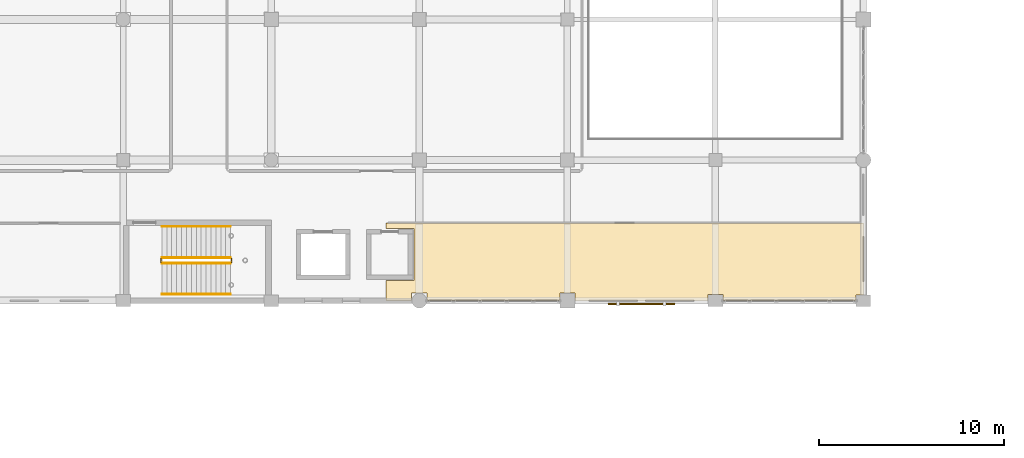
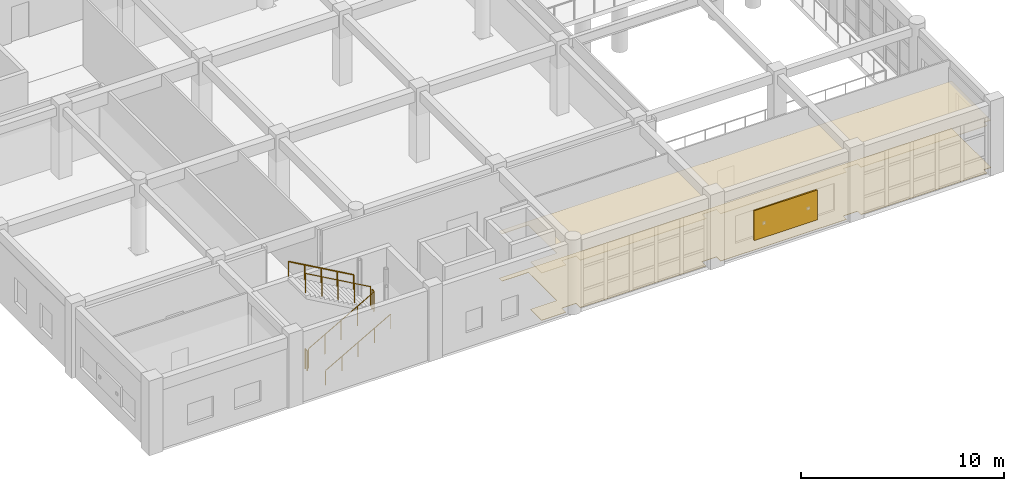
# One storey, part 162 of 166: 6 railings, 2 coverings, 1 shading device.
"""IFC4 building model written with IfcOpenShell, lengths in metres."""

from ifc_helpers import new_model, si_unit, direction, frame, origin, origin_2d, place, context, subcontext, project, spatial, polyline, rectangle, circle, outline, extrude, material, layer, layer_set, type_object, element, save


model = new_model("IFC4")

# Units and contexts
model_context = context("Model", 3, precision=1e-05, world=origin(), true_north=direction((0.0, 1.0)))
body_context = subcontext(model_context, "Body", "Model", "MODEL_VIEW")
ifc_project = project(units=[si_unit("LENGTHUNIT", "METRE"), si_unit("AREAUNIT", "SQUARE_METRE"), si_unit("VOLUMEUNIT", "CUBIC_METRE"), si_unit("PLANEANGLEUNIT", "RADIAN"), si_unit("MASSUNIT", "GRAM", prefix="KILO")], contexts=[model_context])

# Site, building, storey
site_placement = place(None, origin())
site = spatial("IfcSite", under=ifc_project, at=site_placement, CompositionType="ELEMENT")
building_placement = place(site_placement, origin())
building = spatial("IfcBuilding", under=site, at=building_placement, Name="Kharva Crest Polytechnic", CompositionType="ELEMENT")
storey_placement = place(building_placement, origin())
storey = spatial("IfcBuildingStorey", under=building, at=storey_placement, Name="L00", CompositionType="ELEMENT", Elevation=0.0)

# Coverings
ifc_material_1 = material(Name="Acoustic mineral board")
ifc_layer_1 = layer(ifc_material_1, 0.02490234375, Name="Acoustic mineral board")
ifc_layer_set_1 = layer_set([ifc_layer_1], Name="Acoustic mineral board")
covering_type_1 = type_object("IfcCoveringType", Name="COV-CLG-ACOUSTIC", PredefinedType="CEILING", material=ifc_layer_set_1)
covering_1_placement = place(storey_placement, frame((0.0, 0.0, 2.85009765625)))
element("IfcCovering", 1, at=covering_1_placement, inside=storey, type_object=covering_type_1, Name="L00 Refectory Terrace Dining Acoustic Ceiling", PredefinedType="CEILING", context=body_context, shape_type="SweptSolid", body=[
    extrude(outline(polyline([(161.2099609375, 0.3349609375), (160.389892578125, 0.3349609375), (160.389892578125, 0.0), (153.2099609375, 0.0), (153.2099609375, 0.409912109375), (152.389892578125, 0.409912109375), (152.389892578125, 0.0), (145.2099609375, 0.0), (145.2099609375, 0.409912109375), (144.389892578125, 0.409912109375), (144.389892578125, 0.0), (143.0, 0.0), (143.0, 1.10009765625), (144.5, 1.10009765625), (144.5, 3.89990234375), (143.0, 3.89990234375), (143.0, 4.18994140625), (165.0, 4.18994140625), (165.0009765625, 4.18994140625), (165.001953125, 4.190185546875), (165.0029296875, 4.1904296875), (165.00390625, 4.19091796875), (165.004638671875, 4.191162109375), (165.005615234375, 4.191650390625), (165.00634765625, 4.1923828125), (165.007080078125, 4.19287109375), (165.0078125, 4.193603515625), (165.00830078125, 4.1943359375), (165.0087890625, 4.1953125), (165.00927734375, 4.1962890625), (165.009521484375, 4.197021484375), (165.009765625, 4.197998046875), (165.010009765625, 4.198974609375), (165.010009765625, 4.199951171875), (168.800048828125, 4.199951171875), (168.800048828125, 0.31005859375), (168.39990234375, 0.31005859375), (168.39990234375, 0.0), (161.2099609375, 0.0), (161.2099609375, 0.3349609375)])), origin(), (0.0, 0.0, 1.0), 0.02490234375),
])
ifc_material_2 = material(Name="Terrazzo tile")
ifc_layer_2 = layer(ifc_material_2, 0.02001953125, Name="Terrazzo tile")
ifc_layer_set_2 = layer_set([ifc_layer_2], Name="Terrazzo tile")
covering_type_2 = type_object("IfcCoveringType", Name="COV-FLR-TERRAZZO", PredefinedType="FLOORING", material=ifc_layer_set_2)
covering_2_placement = place(storey_placement, origin())
element("IfcCovering", 2, at=covering_2_placement, inside=storey, type_object=covering_type_2, Name="L00 Refectory Terrace Dining Terrazzo Flooring", PredefinedType="FLOORING", context=body_context, shape_type="SweptSolid", body=[
    extrude(outline(polyline([(161.2099609375, 0.3349609375), (160.389892578125, 0.3349609375), (160.389892578125, 0.0), (153.2099609375, 0.0), (153.2099609375, 0.409912109375), (152.389892578125, 0.409912109375), (152.389892578125, 0.0), (145.2099609375, 0.0), (145.2099609375, 0.409912109375), (144.389892578125, 0.409912109375), (144.389892578125, 0.0), (143.0, 0.0), (143.0, 1.10009765625), (144.5, 1.10009765625), (144.5, 3.89990234375), (143.0, 3.89990234375), (143.0, 4.18994140625), (165.0, 4.18994140625), (165.0009765625, 4.18994140625), (165.001953125, 4.190185546875), (165.0029296875, 4.1904296875), (165.00390625, 4.19091796875), (165.004638671875, 4.191162109375), (165.005615234375, 4.191650390625), (165.00634765625, 4.1923828125), (165.007080078125, 4.19287109375), (165.0078125, 4.193603515625), (165.00830078125, 4.1943359375), (165.0087890625, 4.1953125), (165.00927734375, 4.1962890625), (165.009521484375, 4.197021484375), (165.009765625, 4.197998046875), (165.010009765625, 4.198974609375), (165.010009765625, 4.199951171875), (168.800048828125, 4.199951171875), (168.800048828125, 0.31005859375), (168.39990234375, 0.31005859375), (168.39990234375, 0.0), (161.2099609375, 0.0), (161.2099609375, 0.3349609375)])), origin(), (0.0, 0.0, 1.0), 0.02001953125),
])

# Railings
ifc_material_3 = material(Name="Anodised aluminium", Category="aluminium")
railing_type_1 = type_object("IfcRailingType", Name="RL-STAIR-GUARD-1200", PredefinedType="GUARDRAIL", material=ifc_material_3)
railing_1_placement = place(storey_placement, frame((130.889892578125, 2.030029296875, 0.14990234375)))
element("IfcRailing", 3, at=railing_1_placement, inside=storey, type_object=railing_type_1, Name="L00 ST-06 stair guard 1", PredefinedType="GUARDRAIL", context=body_context, shape_type="SweptSolid", body=[
    extrude(circle(Radius=0.02392578125, at=origin_2d()), frame((0.0, 0.0, 1.17578125), z_axis=(0.870258707807, 0.0, 0.492594946671), x_axis=(0.0, 1.0, 0.0)), (0.0, 0.0, 1.0), 4.263427734375),
    extrude(circle(Radius=0.02099609375, at=origin_2d()), origin(), (0.0, 0.0, 1.0), 1.15185546875),
    extrude(circle(Radius=0.02099609375, at=origin_2d()), frame((0.927490234375, 0.0, 0.52490234375)), (0.0, 0.0, 1.0), 1.15185546875),
    extrude(circle(Radius=0.02099609375, at=origin_2d()), frame((1.85498046875, 0.0, 1.050048828125)), (0.0, 0.0, 1.0), 1.15185546875),
    extrude(circle(Radius=0.02099609375, at=origin_2d()), frame((2.78271484375, 0.0, 1.5751953125)), (0.0, 0.0, 1.0), 1.15185546875),
    extrude(circle(Radius=0.02099609375, at=origin_2d()), frame((3.710205078125, 0.0, 2.10009765625)), (0.0, 0.0, 1.0), 1.15185546875),
])
railing_2_placement = place(storey_placement, frame((134.64990234375, 2.080078125, 2.25)))
element("IfcRailing", 4, at=railing_2_placement, inside=storey, type_object=railing_type_1, Name="L00 ST-06 stair guard 2", PredefinedType="GUARDRAIL", context=body_context, shape_type="SweptSolid", body=[
    extrude(circle(Radius=0.02392578125, at=origin_2d()), frame((0.0, 0.0, 1.17578125), z_axis=(0.0, 1.0, 0.0), x_axis=(-1.0, 0.0, 0.0)), (0.0, 0.0, 1.0), 0.199951171875),
    extrude(circle(Radius=0.02099609375, at=origin_2d()), origin(), (0.0, 0.0, 1.0), 1.15185546875),
    extrude(circle(Radius=0.02099609375, at=origin_2d()), frame((0.0, 0.199951171875, 0.0)), (0.0, 0.0, 1.0), 1.15185546875),
])
railing_3_placement = place(storey_placement, frame((134.60009765625, 2.330078125, 2.39990234375)))
element("IfcRailing", 5, at=railing_3_placement, inside=storey, type_object=railing_type_1, Name="L00 ST-06 stair guard 3", PredefinedType="GUARDRAIL", context=body_context, shape_type="SweptSolid", body=[
    extrude(circle(Radius=0.02392578125, at=origin_2d()), frame((0.0, 0.0, 1.17578125), z_axis=(-0.870258707807, 0.0, 0.492594946671), x_axis=(0.0, -1.0, 0.0)), (0.0, 0.0, 1.0), 4.263427734375),
    extrude(circle(Radius=0.02099609375, at=origin_2d()), origin(), (0.0, 0.0, 1.0), 1.15185546875),
    extrude(circle(Radius=0.02099609375, at=origin_2d()), frame((-0.927490234375, 0.0, 0.52490234375)), (0.0, 0.0, 1.0), 1.15185546875),
    extrude(circle(Radius=0.02099609375, at=origin_2d()), frame((-1.85498046875, 0.0, 1.050048828125)), (0.0, 0.0, 1.0), 1.15185546875),
    extrude(circle(Radius=0.02099609375, at=origin_2d()), frame((-2.78271484375, 0.0, 1.5751953125)), (0.0, 0.0, 1.0), 1.15185546875),
    extrude(circle(Radius=0.02099609375, at=origin_2d()), frame((-3.710205078125, 0.0, 2.10009765625)), (0.0, 0.0, 1.0), 1.15185546875),
])
railing_4_placement = place(storey_placement, frame((130.840087890625, 2.080078125, 0.0)))
element("IfcRailing", 6, at=railing_4_placement, inside=storey, type_object=railing_type_1, Name="L00 ST-06 stair guard 4", PredefinedType="GUARDRAIL", context=body_context, shape_type="SweptSolid", body=[
    extrude(circle(Radius=0.02392578125, at=origin_2d()), frame((0.0, 0.0, 1.17578125), z_axis=(0.0, 1.0, 0.0), x_axis=(-1.0, 0.0, 0.0)), (0.0, 0.0, 1.0), 0.199951171875),
    extrude(circle(Radius=0.02099609375, at=origin_2d()), origin(), (0.0, 0.0, 1.0), 1.15185546875),
    extrude(circle(Radius=0.02099609375, at=origin_2d()), frame((0.0, 0.199951171875, 0.0)), (0.0, 0.0, 1.0), 1.15185546875),
])
ifc_material_4 = material(Name="Teak timber", Category="wood")
railing_type_2 = type_object("IfcRailingType", Name="RL-STAIR-HAND-900", PredefinedType="HANDRAIL", material=ifc_material_4)
railing_5_placement = place(storey_placement, frame((130.889892578125, 0.35009765625, 0.14990234375)))
element("IfcRailing", 7, at=railing_5_placement, inside=storey, type_object=railing_type_2, Name="L00 ST-06 stair handrail 1", PredefinedType="HANDRAIL", context=body_context, shape_type="SweptSolid", body=[
    extrude(circle(Radius=0.02392578125, at=origin_2d()), frame((0.0, 0.0, 0.8759765625), z_axis=(0.870258707807, 0.0, 0.492594946671), x_axis=(0.0, 1.0, 0.0)), (0.0, 0.0, 1.0), 4.263427734375),
    extrude(circle(Radius=0.02099609375, at=origin_2d()), origin(), (0.0, 0.0, 1.0), 0.851806640625),
    extrude(circle(Radius=0.02099609375, at=origin_2d()), frame((0.927490234375, 0.0, 0.52490234375)), (0.0, 0.0, 1.0), 0.851806640625),
    extrude(circle(Radius=0.02099609375, at=origin_2d()), frame((1.85498046875, 0.0, 1.050048828125)), (0.0, 0.0, 1.0), 0.851806640625),
    extrude(circle(Radius=0.02099609375, at=origin_2d()), frame((2.78271484375, 0.0, 1.5751953125)), (0.0, 0.0, 1.0), 0.851806640625),
    extrude(circle(Radius=0.02099609375, at=origin_2d()), frame((3.710205078125, 0.0, 2.10009765625)), (0.0, 0.0, 1.0), 0.851806640625),
])
railing_6_placement = place(storey_placement, frame((134.60009765625, 4.010009765625, 2.39990234375)))
element("IfcRailing", 8, at=railing_6_placement, inside=storey, type_object=railing_type_2, Name="L00 ST-06 stair handrail 2", PredefinedType="HANDRAIL", context=body_context, shape_type="SweptSolid", body=[
    extrude(circle(Radius=0.02392578125, at=origin_2d()), frame((0.0, 0.0, 0.8759765625), z_axis=(-0.870258707807, 0.0, 0.492594946671), x_axis=(0.0, -1.0, 0.0)), (0.0, 0.0, 1.0), 4.263427734375),
    extrude(circle(Radius=0.02099609375, at=origin_2d()), origin(), (0.0, 0.0, 1.0), 0.851806640625),
    extrude(circle(Radius=0.02099609375, at=origin_2d()), frame((-0.927490234375, 0.0, 0.52490234375)), (0.0, 0.0, 1.0), 0.851806640625),
    extrude(circle(Radius=0.02099609375, at=origin_2d()), frame((-1.85498046875, 0.0, 1.050048828125)), (0.0, 0.0, 1.0), 0.851806640625),
    extrude(circle(Radius=0.02099609375, at=origin_2d()), frame((-2.78271484375, 0.0, 1.5751953125)), (0.0, 0.0, 1.0), 0.851806640625),
    extrude(circle(Radius=0.02099609375, at=origin_2d()), frame((-3.710205078125, 0.0, 2.10009765625)), (0.0, 0.0, 1.0), 0.851806640625),
])

# Shading device
ifc_material_5 = material(Name="Perforated terracotta", Category="masonry")
shading_device_type = type_object("IfcShadingDeviceType", Name="SHD-JAALI-3600X1800", PredefinedType="USERDEFINED", material=ifc_material_5)
shading_device_placement = place(storey_placement, frame((156.800048828125, -0.175537109375, 0.75), z_axis=(0.0, 0.0, 1.0), x_axis=(1.0, 0.0, 0.0)))
element("IfcShadingDevice", 9, at=shading_device_placement, inside=storey, type_object=shading_device_type, Name="L00 Terracotta Jaali Solar Screen 12", ObjectType="LOUVRE", PredefinedType="USERDEFINED", context=body_context, shape_type="SweptSolid", body=[
    extrude(rectangle(XDim=3.60009765625, YDim=0.080078125, at=origin_2d()), origin(), (0.0, 0.0, 1.0), 1.800048828125),
])

save(model, "model.ifc")
